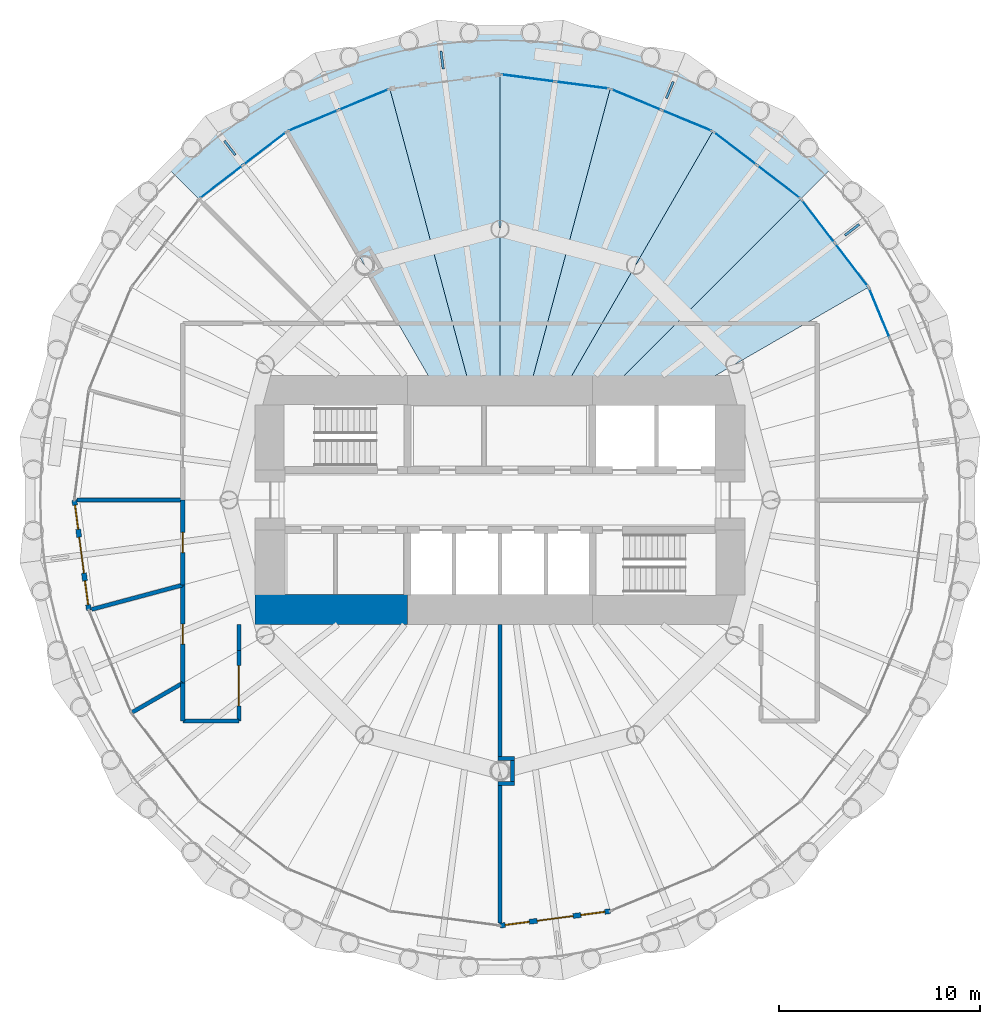
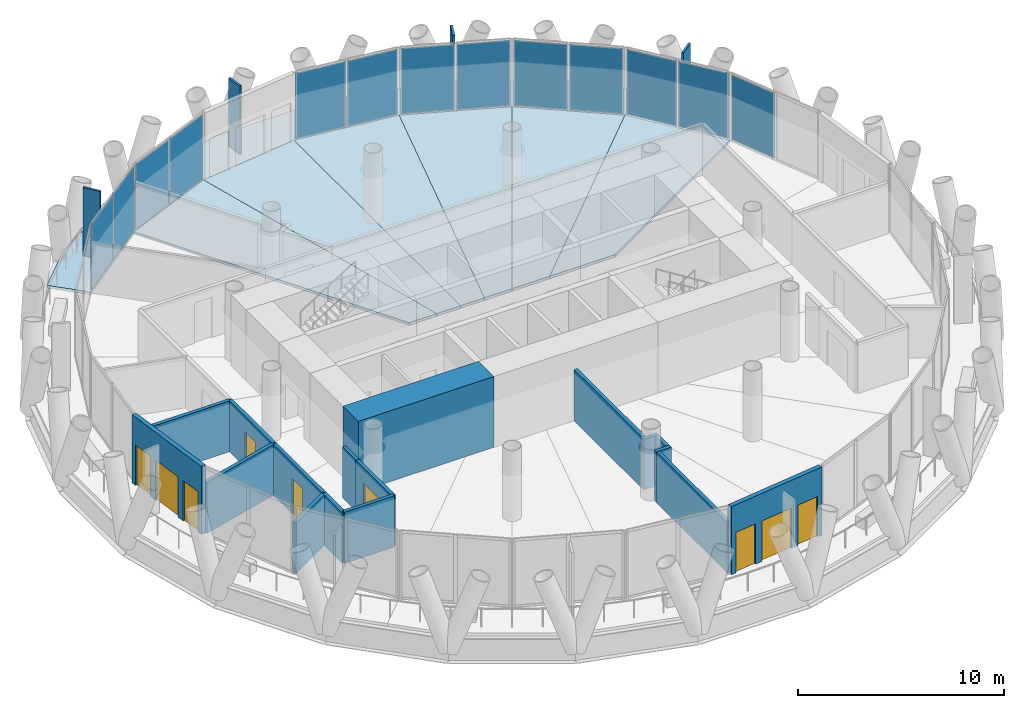
# One storey, part 9 of 14: 17 plates, 17 walls, 7 slabs, 5 doors, 4 windows, 9 openings, 7 elements without a shape of their own.
"""IFC4 building model written with IfcOpenShell, lengths in metres."""

from ifc_helpers import new_model, si_unit, direction, frame, frame_2d, origin, origin_2d, place, context, subcontext, project, spatial, polyline, rectangle, outline, extrude, material, layer, layer_set, type_object, element, fill, aggregate, save


model = new_model("IFC4")

# Units and contexts
model_context = context("Model", 3, precision=1e-05, world=origin(), true_north=direction((0.0, 1.0)))
body_context = subcontext(model_context, "Body", "Model", "MODEL_VIEW")
ifc_project = project(units=[si_unit("LENGTHUNIT", "METRE"), si_unit("AREAUNIT", "SQUARE_METRE"), si_unit("VOLUMEUNIT", "CUBIC_METRE"), si_unit("PLANEANGLEUNIT", "RADIAN"), si_unit("MASSUNIT", "GRAM", prefix="KILO")], contexts=[model_context])

# Site, building, storey
site_placement = place(None, origin())
site = spatial("IfcSite", under=ifc_project, at=site_placement, CompositionType="ELEMENT")
building_placement = place(site_placement, origin())
building = spatial("IfcBuilding", under=site, at=building_placement, Name="Qaws Media Tower", CompositionType="ELEMENT")
storey_placement = place(building_placement, frame((0.0, 0.0, 202.39990234375)))
storey = spatial("IfcBuildingStorey", under=building, at=storey_placement, Name="L46", CompositionType="ELEMENT", Elevation=202.39990234375)

# Slabs
ifc_material_1 = material(Name="Concrete C35/45", Category="concrete")
ifc_layer_1 = layer(ifc_material_1, 0.159912109375)
ifc_layer_set_1 = layer_set([ifc_layer_1], Name="Composite balcony slab 160")
slab_type_1 = type_object("IfcSlabType", Name="Composite balcony slab 160", PredefinedType="FLOOR", material=ifc_layer_set_1)
slab_1_placement = place(storey_placement, frame((0.0, 0.0, -0.159912109375)))
element("IfcSlab", 1, at=slab_1_placement, inside=storey, type_object=slab_type_1, Name="S2 balcony slab L46 R04 to R10, movement joints on R04 and R10", PredefinedType="FLOOR", context=body_context, shape_type="SweptSolid", body=[
    extrude(outline(polyline([(45.63330078125, 68.72314453125), (50.96875, 71.8037109375), (56.919677734375, 73.398193359375), (63.080322265625, 73.398193359375), (69.03125, 71.8037109375), (74.36669921875, 68.72314453125), (76.544921875, 66.544921875), (74.99072265625, 64.99072265625), (70.60009765625, 68.359619140625), (65.487060546875, 70.4775390625), (60.0, 71.199951171875), (54.512939453125, 70.4775390625), (49.39990234375, 68.359619140625), (45.00927734375, 64.99072265625), (43.455078125, 66.544921875), (45.63330078125, 68.72314453125)])), origin(), (0.0, 0.0, 1.0), 0.159912109375),
])
ifc_material_2 = material(Name="Concrete C35/45", Category="concrete")
ifc_layer_2 = layer(ifc_material_2, 0.159912109375)
ifc_layer_set_2 = layer_set([ifc_layer_2], Name="Composite floor slab 160")
slab_type_2 = type_object("IfcSlabType", Name="Composite floor slab 160", PredefinedType="FLOOR", material=ifc_layer_set_2)
slab_2_placement = place(storey_placement, frame((0.0, 0.0, -0.159912109375)))
element("IfcSlab", 2, at=slab_2_placement, inside=storey, type_object=slab_type_2, Name="S1 floor panel L46 on R03+7.5", PredefinedType="FLOOR", context=body_context, shape_type="SweptSolid", body=[
    extrude(outline(polyline([(78.359619140625, 60.60009765625), (68.660400390625, 55.0), (65.0, 55.0), (74.99072265625, 64.99072265625), (78.359619140625, 60.60009765625)])), origin(), (0.0, 0.0, 1.0), 0.159912109375),
])
slab_3_placement = place(storey_placement, frame((0.0, 0.0, -0.159912109375)))
element("IfcSlab", 3, at=slab_3_placement, inside=storey, type_object=slab_type_2, Name="S1 floor panel L46 on R04+7.5", PredefinedType="FLOOR", context=body_context, shape_type="SweptSolid", body=[
    extrude(outline(polyline([(74.99072265625, 64.99072265625), (65.0, 55.0), (62.88671875, 55.0), (70.60009765625, 68.359619140625), (74.99072265625, 64.99072265625)])), origin(), (0.0, 0.0, 1.0), 0.159912109375),
])
slab_4_placement = place(storey_placement, frame((0.0, 0.0, -0.159912109375)))
element("IfcSlab", 4, at=slab_4_placement, inside=storey, type_object=slab_type_2, Name="S1 floor panel L46 on R05+7.5", PredefinedType="FLOOR", context=body_context, shape_type="SweptSolid", body=[
    extrude(outline(polyline([(65.487060546875, 70.4775390625), (70.60009765625, 68.359619140625), (62.88671875, 55.0), (61.339599609375, 55.0), (65.487060546875, 70.4775390625)])), origin(), (0.0, 0.0, 1.0), 0.159912109375),
])
slab_5_placement = place(storey_placement, frame((0.0, 0.0, -0.159912109375)))
element("IfcSlab", 5, at=slab_5_placement, inside=storey, type_object=slab_type_2, Name="S1 floor panel L46 on R06+7.5", PredefinedType="FLOOR", context=body_context, shape_type="SweptSolid", body=[
    extrude(outline(polyline([(65.487060546875, 70.4775390625), (61.339599609375, 55.0), (60.0, 55.0), (60.0, 71.199951171875), (65.487060546875, 70.4775390625)])), origin(), (0.0, 0.0, 1.0), 0.159912109375),
])
slab_6_placement = place(storey_placement, frame((0.0, 0.0, -0.159912109375)))
element("IfcSlab", 6, at=slab_6_placement, inside=storey, type_object=slab_type_2, Name="S1 floor panel L46 on R07+7.5", PredefinedType="FLOOR", context=body_context, shape_type="SweptSolid", body=[
    extrude(outline(polyline([(60.0, 71.199951171875), (60.0, 55.0), (58.660400390625, 55.0), (54.512939453125, 70.4775390625), (60.0, 71.199951171875)])), origin(), (0.0, 0.0, 1.0), 0.159912109375),
])
slab_7_placement = place(storey_placement, frame((0.0, 0.0, -0.159912109375)))
element("IfcSlab", 7, at=slab_7_placement, inside=storey, type_object=slab_type_2, Name="S1 floor panel L46 on R08+7.5", PredefinedType="FLOOR", context=body_context, shape_type="SweptSolid", body=[
    extrude(outline(polyline([(49.39990234375, 68.359619140625), (54.512939453125, 70.4775390625), (58.660400390625, 55.0), (57.11328125, 55.0), (49.39990234375, 68.359619140625)])), origin(), (0.0, 0.0, 1.0), 0.159912109375),
])

# Curtain wall, plate
ifc_material_3 = material(Name="Aluminium and clear glass", Category="aluminium")
curtain_wall_type = type_object("IfcCurtainWallType", Name="Unitised curtain wall CW-C", PredefinedType="NOTDEFINED", material=ifc_material_3)
curtain_wall_1_placement = place(storey_placement, origin())
curtain_wall_1 = element("IfcCurtainWall", 8, at=curtain_wall_1_placement, inside=storey, type_object=curtain_wall_type, Name="CWC curtain wall L46-02", PredefinedType="NOTDEFINED")
ifc_material_4 = material(Name="Clear laminated double glazing", Category="glass")
ifc_layer_3 = layer(ifc_material_4, 0.031982421875)
ifc_layer_set_3 = layer_set([ifc_layer_3], Name="Curtain wall glass unit 32")
plate_type_1 = type_object("IfcPlateType", Name="Curtain wall glass unit 32", PredefinedType="CURTAIN_PANEL", material=ifc_layer_set_3)
plate_1_placement = place(storey_placement, frame((78.89697265625, 59.30322265625, 0.080078125), z_axis=(0.0, 0.0, 1.0), x_axis=(-0.382683454553, 0.923879523321, 0.0)))
plate_1 = element("IfcPlate", 9, at=plate_1_placement, type_object=plate_type_1, Name="CWC panel 2.1", PredefinedType="CURTAIN_PANEL", context=body_context, shape_type="SweptSolid", body=[
    extrude(rectangle(XDim=2.647216796875, YDim=0.031982421875, at=origin_2d()), origin(), (0.0, 0.0, 1.0), 3.8798828125),
])
aggregate(curtain_wall_1, [plate_1])

# Curtain wall, plates
curtain_wall_2_placement = place(storey_placement, origin())
curtain_wall_2 = element("IfcCurtainWall", 10, at=curtain_wall_2_placement, inside=storey, type_object=curtain_wall_type, Name="CWC curtain wall L46-03", PredefinedType="NOTDEFINED")
plate_2_placement = place(storey_placement, frame((77.50537109375, 61.713623046875, 0.080078125), z_axis=(0.0, 0.0, 1.0), x_axis=(-0.608761431016, 0.793353338751, 0.0)))
plate_2 = element("IfcPlate", 11, at=plate_2_placement, type_object=plate_type_1, Name="CWC panel 1.1", PredefinedType="CURTAIN_PANEL", context=body_context, shape_type="SweptSolid", body=[
    extrude(rectangle(XDim=2.647216796875, YDim=0.031982421875, at=origin_2d()), origin(), (0.0, 0.0, 1.0), 3.8798828125),
])
plate_3_placement = place(storey_placement, frame((75.84521484375, 63.877197265625, 0.080078125), z_axis=(0.0, 0.0, 1.0), x_axis=(-0.608761431016, 0.793353338751, 0.0)))
plate_3 = element("IfcPlate", 12, at=plate_3_placement, type_object=plate_type_1, Name="CWC panel 2.1", PredefinedType="CURTAIN_PANEL", context=body_context, shape_type="SweptSolid", body=[
    extrude(rectangle(XDim=2.647216796875, YDim=0.031982421875, at=origin_2d()), origin(), (0.0, 0.0, 1.0), 3.8798828125),
])
aggregate(curtain_wall_2, [plate_2, plate_3])

curtain_wall_3_placement = place(storey_placement, origin())
curtain_wall_3 = element("IfcCurtainWall", 13, at=curtain_wall_3_placement, inside=storey, type_object=curtain_wall_type, Name="CWC curtain wall L46-04", PredefinedType="NOTDEFINED")
plate_4_placement = place(storey_placement, frame((73.877197265625, 65.84521484375, 0.080078125), z_axis=(0.0, 0.0, 1.0), x_axis=(-0.793353338751, 0.608761431016, 0.0)))
plate_4 = element("IfcPlate", 14, at=plate_4_placement, type_object=plate_type_1, Name="CWC panel 1.1", PredefinedType="CURTAIN_PANEL", context=body_context, shape_type="SweptSolid", body=[
    extrude(rectangle(XDim=2.647216796875, YDim=0.031982421875, at=origin_2d()), origin(), (0.0, 0.0, 1.0), 3.8798828125),
])
plate_5_placement = place(storey_placement, frame((71.713623046875, 67.50537109375, 0.080078125), z_axis=(0.0, 0.0, 1.0), x_axis=(-0.793353338751, 0.608761431016, 0.0)))
plate_5 = element("IfcPlate", 15, at=plate_5_placement, type_object=plate_type_1, Name="CWC panel 2.1", PredefinedType="CURTAIN_PANEL", context=body_context, shape_type="SweptSolid", body=[
    extrude(rectangle(XDim=2.647216796875, YDim=0.031982421875, at=origin_2d()), origin(), (0.0, 0.0, 1.0), 3.8798828125),
])
aggregate(curtain_wall_3, [plate_4, plate_5])

curtain_wall_4_placement = place(storey_placement, origin())
curtain_wall_4 = element("IfcCurtainWall", 16, at=curtain_wall_4_placement, inside=storey, type_object=curtain_wall_type, Name="CWC curtain wall L46-05", PredefinedType="NOTDEFINED")
plate_6_placement = place(storey_placement, frame((69.30322265625, 68.89697265625, 0.080078125), z_axis=(0.0, 0.0, 1.0), x_axis=(-0.923879523321, 0.382683454553, 0.0)))
plate_6 = element("IfcPlate", 17, at=plate_6_placement, type_object=plate_type_1, Name="CWC panel 1.1", PredefinedType="CURTAIN_PANEL", context=body_context, shape_type="SweptSolid", body=[
    extrude(rectangle(XDim=2.647216796875, YDim=0.031982421875, at=origin_2d()), origin(), (0.0, 0.0, 1.0), 3.8798828125),
])
plate_7_placement = place(storey_placement, frame((66.78369140625, 69.9404296875, 0.080078125), z_axis=(0.0, 0.0, 1.0), x_axis=(-0.923879523321, 0.382683454553, 0.0)))
plate_7 = element("IfcPlate", 18, at=plate_7_placement, type_object=plate_type_1, Name="CWC panel 2.1", PredefinedType="CURTAIN_PANEL", context=body_context, shape_type="SweptSolid", body=[
    extrude(rectangle(XDim=2.647216796875, YDim=0.031982421875, at=origin_2d()), origin(), (0.0, 0.0, 1.0), 3.8798828125),
])
aggregate(curtain_wall_4, [plate_6, plate_7])

curtain_wall_5_placement = place(storey_placement, origin())
curtain_wall_5 = element("IfcCurtainWall", 19, at=curtain_wall_5_placement, inside=storey, type_object=curtain_wall_type, Name="CWC curtain wall L46-06", PredefinedType="NOTDEFINED")
plate_8_placement = place(storey_placement, frame((64.095458984375, 70.660888671875, 0.080078125), z_axis=(0.0, 0.0, 1.0), x_axis=(-0.991444873411, 0.130526100786, 0.0)))
plate_8 = element("IfcPlate", 20, at=plate_8_placement, type_object=plate_type_1, Name="CWC panel 1.1", PredefinedType="CURTAIN_PANEL", context=body_context, shape_type="SweptSolid", body=[
    extrude(rectangle(XDim=2.647216796875, YDim=0.031982421875, at=origin_2d()), origin(), (0.0, 0.0, 1.0), 3.8798828125),
])
plate_9_placement = place(storey_placement, frame((61.3916015625, 71.016845703125, 0.080078125), z_axis=(0.0, 0.0, 1.0), x_axis=(-0.991444873411, 0.130526100786, 0.0)))
plate_9 = element("IfcPlate", 21, at=plate_9_placement, type_object=plate_type_1, Name="CWC panel 2.1", PredefinedType="CURTAIN_PANEL", context=body_context, shape_type="SweptSolid", body=[
    extrude(rectangle(XDim=2.647216796875, YDim=0.031982421875, at=origin_2d()), origin(), (0.0, 0.0, 1.0), 3.8798828125),
])
aggregate(curtain_wall_5, [plate_8, plate_9])

curtain_wall_6_placement = place(storey_placement, origin())
curtain_wall_6 = element("IfcCurtainWall", 22, at=curtain_wall_6_placement, inside=storey, type_object=curtain_wall_type, Name="CWC curtain wall L46-08", PredefinedType="NOTDEFINED")
plate_10_placement = place(storey_placement, frame((53.21630859375, 69.9404296875, 0.080078125), z_axis=(0.0, 0.0, 1.0), x_axis=(-0.923879523321, -0.382683454553, 0.0)))
plate_10 = element("IfcPlate", 23, at=plate_10_placement, type_object=plate_type_1, Name="CWC panel 1.1", PredefinedType="CURTAIN_PANEL", context=body_context, shape_type="SweptSolid", body=[
    extrude(rectangle(XDim=2.647216796875, YDim=0.031982421875, at=origin_2d()), origin(), (0.0, 0.0, 1.0), 3.8798828125),
])
plate_11_placement = place(storey_placement, frame((50.69677734375, 68.89697265625, 0.080078125), z_axis=(0.0, 0.0, 1.0), x_axis=(-0.923879523321, -0.382683454553, 0.0)))
plate_11 = element("IfcPlate", 24, at=plate_11_placement, type_object=plate_type_1, Name="CWC panel 2.1", PredefinedType="CURTAIN_PANEL", context=body_context, shape_type="SweptSolid", body=[
    extrude(rectangle(XDim=2.647216796875, YDim=0.031982421875, at=origin_2d()), origin(), (0.0, 0.0, 1.0), 3.8798828125),
])
aggregate(curtain_wall_6, [plate_10, plate_11])

curtain_wall_7_placement = place(storey_placement, origin())
curtain_wall_7 = element("IfcCurtainWall", 25, at=curtain_wall_7_placement, inside=storey, type_object=curtain_wall_type, Name="CWC curtain wall L46-09", PredefinedType="NOTDEFINED")
plate_12_placement = place(storey_placement, frame((48.286376953125, 67.50537109375, 0.080078125), z_axis=(0.0, 0.0, 1.0), x_axis=(-0.793353338751, -0.608761431016, 0.0)))
plate_12 = element("IfcPlate", 26, at=plate_12_placement, type_object=plate_type_1, Name="CWC panel 1.1", PredefinedType="CURTAIN_PANEL", context=body_context, shape_type="SweptSolid", body=[
    extrude(rectangle(XDim=2.647216796875, YDim=0.031982421875, at=origin_2d()), origin(), (0.0, 0.0, 1.0), 3.8798828125),
])
plate_13_placement = place(storey_placement, frame((46.122802734375, 65.84521484375, 0.080078125), z_axis=(0.0, 0.0, 1.0), x_axis=(-0.793353338751, -0.608761431016, 0.0)))
plate_13 = element("IfcPlate", 27, at=plate_13_placement, type_object=plate_type_1, Name="CWC panel 2.1", PredefinedType="CURTAIN_PANEL", context=body_context, shape_type="SweptSolid", body=[
    extrude(rectangle(XDim=2.647216796875, YDim=0.031982421875, at=origin_2d()), origin(), (0.0, 0.0, 1.0), 3.8798828125),
])
aggregate(curtain_wall_7, [plate_12, plate_13])

# Plates
ifc_material_5 = material(Name="Precast concrete screen fin", Category="concrete")
ifc_layer_4 = layer(ifc_material_5, 0.1201171875)
ifc_layer_set_4 = layer_set([ifc_layer_4], Name="Screen fin 120x900")
plate_type_2 = type_object("IfcPlateType", Name="Screen fin 120x900", PredefinedType="USERDEFINED", material=ifc_layer_set_4)
for number, where, z_axis, x_axis, name in (
    (28, (77.533203125, 63.45361328125, 0.0), (0.0, 0.0, 1.0), (0.793353340291, 0.608761429009, 0.0), "SCR1 screen fin L46-02"),
    (29, (68.457275390625, 70.417724609375, 0.0), (0.0, 0.0, 1.0), (0.382683432365, 0.923879532511, 0.0), "SCR1 screen fin L46-03"),
    (30, (57.115478515625, 71.910888671875, 0.0), (0.0, 0.0, 1.0), (-0.13052619222, 0.991444861374, 0.0), "SCR1 screen fin L46-04"),
    (31, (46.54638671875, 67.533203125, 0.0), (0.0, 0.0, 1.0), (-0.608761429009, 0.793353340291, 0.0), "SCR1 screen fin L46-05"),
):
    element("IfcPlate", number, at=place(storey_placement, frame(where, z_axis=z_axis, x_axis=x_axis)), inside=storey, type_object=plate_type_2, Name=name, ObjectType="SCREEN", PredefinedType="USERDEFINED", context=body_context, shape_type="SweptSolid", body=[
        extrude(rectangle(XDim=0.89990234375, YDim=0.1201171875, at=origin_2d()), origin(), (0.0, 0.0, 1.0), 4.0400390625),
    ])

# Wall, openings, door, windows
ifc_material_6 = material(Name="Precast concrete, exposed finish", Category="concrete")
ifc_layer_5 = layer(ifc_material_6, 0.25)
ifc_layer_set_5 = layer_set([ifc_layer_5], Name="Balcony door wall 250")
wall_type_1 = type_object("IfcWallType", Name="Balcony door wall 250", PredefinedType="SOLIDWALL", material=ifc_layer_set_5)
wall_1_placement = place(storey_placement, frame((38.800048828125, 50.0, 0.0), z_axis=(0.0, 0.0, 1.0), x_axis=(0.130530967061, -0.991444232742, 0.0)))
wall_1 = element("IfcWall", 32, at=wall_1_placement, inside=storey, type_object=wall_type_1, Name="W113 EW1 balcony door wall L46-13", PredefinedType="SOLIDWALL", context=body_context, shape_type="SweptSolid", body=[
    extrude(rectangle(XDim=5.534423828125, YDim=0.25, at=frame_2d((2.76708984375, 0.0))), origin(), (0.0, 0.0, 1.0), 4.0400390625),
])
opening_1_placement = place(wall_1_placement, frame((1.8671875, 0.0, 0.0)))
opening_1 = element("IfcOpeningElement", 33, at=opening_1_placement, cuts=wall_1, Name="Opening D7", PredefinedType="OPENING", context=body_context, shape_type="SweptSolid", body=[
    extrude(rectangle(XDim=1.800048828125, YDim=2.39990234375, at=frame_2d((0.89990234375, 1.199951171875))), frame((0.0, 0.135009765625, 0.0), z_axis=(0.0, -1.0, 0.0), x_axis=(1.0, 0.0, 0.0)), (0.0, 0.0, 1.0), 0.27001953125),
])
opening_2_placement = place(wall_1_placement, frame((0.26708984375, 0.0, 0.0)))
opening_2 = element("IfcOpeningElement", 34, at=opening_2_placement, cuts=wall_1, Name="Opening W1", PredefinedType="OPENING", context=body_context, shape_type="SweptSolid", body=[
    extrude(rectangle(XDim=1.199951171875, YDim=2.39990234375, at=frame_2d((0.60009765625, 1.199951171875))), frame((0.0, 0.135009765625, 0.0), z_axis=(0.0, -1.0, 0.0), x_axis=(1.0, 0.0, 0.0)), (0.0, 0.0, 1.0), 0.27001953125),
])
opening_3_placement = place(wall_1_placement, frame((4.067138671875, 0.0, 0.0)))
opening_3 = element("IfcOpeningElement", 35, at=opening_3_placement, cuts=wall_1, Name="Opening W1", PredefinedType="OPENING", context=body_context, shape_type="SweptSolid", body=[
    extrude(rectangle(XDim=1.199951171875, YDim=2.39990234375, at=frame_2d((0.60009765625, 1.199951171875))), frame((0.0, 0.135009765625, 0.0), z_axis=(0.0, -1.0, 0.0), x_axis=(1.0, 0.0, 0.0)), (0.0, 0.0, 1.0), 0.27001953125),
])
ifc_material_7 = material(Name="Aluminium and clear glass", Category="aluminium")
door_type_1 = type_object("IfcDoorType", Name="Balcony door pair 1800", OperationType="DOUBLE_DOOR_SLIDING", PredefinedType="DOOR", material=ifc_material_7)
door_1_placement = place(opening_1_placement, origin())
door_1 = element("IfcDoor", 36, at=door_1_placement, inside=storey, type_object=door_type_1, Name="D7 balcony door L46-13 in wall W113", OperationType="DOUBLE_DOOR_SLIDING", OverallHeight=2.39990234375, OverallWidth=1.800048828125, PredefinedType="DOOR", context=body_context, shape_type="SweptSolid", body=[
    extrude(rectangle(XDim=1.800048828125, YDim=2.39990234375, at=frame_2d((0.89990234375, 1.199951171875))), frame((0.0, 0.02490234375, 0.0), z_axis=(0.0, -1.0, 0.0), x_axis=(1.0, 0.0, 0.0)), (0.0, 0.0, 1.0), 0.050048828125),
])
fill(opening_1, door_1)
ifc_material_8 = material(Name="Aluminium and clear glass", Category="aluminium")
window_type = type_object("IfcWindowType", Name="Balcony side window 1200", PartitioningType="SINGLE_PANEL", PredefinedType="WINDOW", material=ifc_material_8)
window_1_placement = place(opening_2_placement, origin())
window_1 = element("IfcWindow", 37, at=window_1_placement, inside=storey, type_object=window_type, Name="W1 balcony side light L46-13L", OverallHeight=2.39990234375, OverallWidth=1.199951171875, PartitioningType="SINGLE_PANEL", PredefinedType="WINDOW", context=body_context, shape_type="SweptSolid", body=[
    extrude(rectangle(XDim=1.199951171875, YDim=2.39990234375, at=frame_2d((0.60009765625, 1.199951171875))), frame((0.0, 0.030029296875, 0.0), z_axis=(0.0, -1.0, 0.0), x_axis=(1.0, 0.0, 0.0)), (0.0, 0.0, 1.0), 0.06005859375),
])
fill(opening_2, window_1)
window_2_placement = place(opening_3_placement, origin())
window_2 = element("IfcWindow", 38, at=window_2_placement, inside=storey, type_object=window_type, Name="W1 balcony side light L46-13R", OverallHeight=2.39990234375, OverallWidth=1.199951171875, PartitioningType="SINGLE_PANEL", PredefinedType="WINDOW", context=body_context, shape_type="SweptSolid", body=[
    extrude(rectangle(XDim=1.199951171875, YDim=2.39990234375, at=frame_2d((0.60009765625, 1.199951171875))), frame((0.0, 0.030029296875, 0.0), z_axis=(0.0, -1.0, 0.0), x_axis=(1.0, 0.0, 0.0)), (0.0, 0.0, 1.0), 0.06005859375),
])
fill(opening_3, window_2)

wall_2_placement = place(storey_placement, frame((60.0, 28.800048828125, 0.0), z_axis=(0.0, 0.0, 1.0), x_axis=(0.991444232742, 0.130530967061, 0.0)))
wall_2 = element("IfcWall", 39, at=wall_2_placement, inside=storey, type_object=wall_type_1, Name="W114 EW1 balcony door wall L46-19", PredefinedType="SOLIDWALL", context=body_context, shape_type="SweptSolid", body=[
    extrude(rectangle(XDim=5.534423828125, YDim=0.25, at=frame_2d((2.76708984375, 0.0))), origin(), (0.0, 0.0, 1.0), 4.0400390625),
])
opening_4_placement = place(wall_2_placement, frame((1.8671875, 0.0, 0.0)))
opening_4 = element("IfcOpeningElement", 40, at=opening_4_placement, cuts=wall_2, Name="Opening D7", PredefinedType="OPENING", context=body_context, shape_type="SweptSolid", body=[
    extrude(rectangle(XDim=1.800048828125, YDim=2.39990234375, at=frame_2d((0.89990234375, 1.199951171875))), frame((0.0, 0.135009765625, 0.0), z_axis=(0.0, -1.0, 0.0), x_axis=(1.0, 0.0, 0.0)), (0.0, 0.0, 1.0), 0.27001953125),
])
opening_5_placement = place(wall_2_placement, frame((0.26708984375, 0.0, 0.0)))
opening_5 = element("IfcOpeningElement", 41, at=opening_5_placement, cuts=wall_2, Name="Opening W1", PredefinedType="OPENING", context=body_context, shape_type="SweptSolid", body=[
    extrude(rectangle(XDim=1.199951171875, YDim=2.39990234375, at=frame_2d((0.60009765625, 1.199951171875))), frame((0.0, 0.135009765625, 0.0), z_axis=(0.0, -1.0, 0.0), x_axis=(1.0, 0.0, 0.0)), (0.0, 0.0, 1.0), 0.27001953125),
])
opening_6_placement = place(wall_2_placement, frame((4.067138671875, 0.0, 0.0)))
opening_6 = element("IfcOpeningElement", 42, at=opening_6_placement, cuts=wall_2, Name="Opening W1", PredefinedType="OPENING", context=body_context, shape_type="SweptSolid", body=[
    extrude(rectangle(XDim=1.199951171875, YDim=2.39990234375, at=frame_2d((0.60009765625, 1.199951171875))), frame((0.0, 0.135009765625, 0.0), z_axis=(0.0, -1.0, 0.0), x_axis=(1.0, 0.0, 0.0)), (0.0, 0.0, 1.0), 0.27001953125),
])
door_2_placement = place(opening_4_placement, origin())
door_2 = element("IfcDoor", 43, at=door_2_placement, inside=storey, type_object=door_type_1, Name="D7 balcony door L46-19 in wall W114", OperationType="DOUBLE_DOOR_SLIDING", OverallHeight=2.39990234375, OverallWidth=1.800048828125, PredefinedType="DOOR", context=body_context, shape_type="SweptSolid", body=[
    extrude(rectangle(XDim=1.800048828125, YDim=2.39990234375, at=frame_2d((0.89990234375, 1.199951171875))), frame((0.0, 0.02490234375, 0.0), z_axis=(0.0, -1.0, 0.0), x_axis=(1.0, 0.0, 0.0)), (0.0, 0.0, 1.0), 0.050048828125),
])
fill(opening_4, door_2)
window_3_placement = place(opening_5_placement, origin())
window_3 = element("IfcWindow", 44, at=window_3_placement, inside=storey, type_object=window_type, Name="W1 balcony side light L46-19L", OverallHeight=2.39990234375, OverallWidth=1.199951171875, PartitioningType="SINGLE_PANEL", PredefinedType="WINDOW", context=body_context, shape_type="SweptSolid", body=[
    extrude(rectangle(XDim=1.199951171875, YDim=2.39990234375, at=frame_2d((0.60009765625, 1.199951171875))), frame((0.0, 0.030029296875, 0.0), z_axis=(0.0, -1.0, 0.0), x_axis=(1.0, 0.0, 0.0)), (0.0, 0.0, 1.0), 0.06005859375),
])
fill(opening_5, window_3)
window_4_placement = place(opening_6_placement, origin())
window_4 = element("IfcWindow", 45, at=window_4_placement, inside=storey, type_object=window_type, Name="W1 balcony side light L46-19R", OverallHeight=2.39990234375, OverallWidth=1.199951171875, PartitioningType="SINGLE_PANEL", PredefinedType="WINDOW", context=body_context, shape_type="SweptSolid", body=[
    extrude(rectangle(XDim=1.199951171875, YDim=2.39990234375, at=frame_2d((0.60009765625, 1.199951171875))), frame((0.0, 0.030029296875, 0.0), z_axis=(0.0, -1.0, 0.0), x_axis=(1.0, 0.0, 0.0)), (0.0, 0.0, 1.0), 0.06005859375),
])
fill(opening_6, window_4)

# Walls
ifc_material_9 = material(Name="Concrete C60/75", Category="concrete")
ifc_layer_6 = layer(ifc_material_9, 1.5)
ifc_layer_set_6 = layer_set([ifc_layer_6], Name="Core wall 1500")
wall_type_2 = type_object("IfcWallType", Name="Core wall 1500", PredefinedType="SHEAR", material=ifc_layer_set_6)
wall_3_placement = place(storey_placement, frame((47.800048828125, 44.550048828125, 0.0), z_axis=(0.0, 0.0, 1.0), x_axis=(1.0, 0.0, 0.0)))
element("IfcWall", 46, at=wall_3_placement, inside=storey, type_object=wall_type_2, Name="W376 SW13 core wall SW L46", PredefinedType="SHEAR", context=body_context, shape_type="SweptSolid", body=[
    extrude(rectangle(XDim=7.599853515625, YDim=1.5, at=frame_2d((3.7998046875, 0.0))), origin(), (0.0, 0.0, 1.0), 4.2001953125),
])
ifc_material_10 = material(Name="Gypsum board on galvanised metal studs, acoustic double stud, deflection head", Category="gypsum")
ifc_layer_7 = layer(ifc_material_10, 0.199951171875)
ifc_layer_set_7 = layer_set([ifc_layer_7], Name="Room partition 200")
wall_type_3 = type_object("IfcWallType", Name="Room partition 200", PredefinedType="PARTITIONING", material=ifc_layer_set_7)
wall_4_placement = place(storey_placement, frame((47.0, 43.800048828125, 0.0), z_axis=(0.0, 0.0, 1.0), x_axis=(0.0, -1.0, 0.0)))
element("IfcWall", 47, at=wall_4_placement, inside=storey, type_object=wall_type_3, Name="W1528 IW3 partition L46", PredefinedType="PARTITIONING", context=body_context, shape_type="SweptSolid", body=[
    extrude(rectangle(XDim=1.3056640625, YDim=0.199951171875, at=frame_2d((0.65283203125, 0.0))), origin(), (0.0, 0.0, 1.0), 3.01220703125),
])

# Wall, opening, door
wall_5_placement = place(storey_placement, frame((47.0, 42.494384765625, 0.0), z_axis=(0.0, 0.0, 1.0), x_axis=(0.0, -1.0, 0.0)))
wall_5 = element("IfcWall", 48, at=wall_5_placement, inside=storey, type_object=wall_type_3, Name="W1366 IW3 partition L46", PredefinedType="PARTITIONING", context=body_context, shape_type="SweptSolid", body=[
    extrude(rectangle(XDim=3.494384765625, YDim=0.199951171875, at=frame_2d((1.7470703125, 0.0))), origin(), (0.0, 0.0, 1.0), 3.01220703125),
])
opening_7_placement = place(wall_5_placement, frame((0.747314453125, 0.0, 0.0)))
opening_7 = element("IfcOpeningElement", 49, at=opening_7_placement, cuts=wall_5, Name="Opening D6", PredefinedType="OPENING", context=body_context, shape_type="SweptSolid", body=[
    extrude(rectangle(XDim=2.0, YDim=2.10009765625, at=frame_2d((1.0, 1.050048828125))), frame((0.0, 0.10986328125, 0.0), z_axis=(0.0, -1.0, 0.0), x_axis=(1.0, 0.0, 0.0)), (0.0, 0.0, 1.0), 0.219970703125),
])
ifc_material_11 = material(Name="Steel, acoustic, fire rated", Category="steel")
door_type_2 = type_object("IfcDoorType", Name="Room door pair 2000", OperationType="DOUBLE_DOOR_DOUBLE_SWING", PredefinedType="DOOR", material=ifc_material_11)
door_3_placement = place(opening_7_placement, origin())
door_3 = element("IfcDoor", 50, at=door_3_placement, inside=storey, type_object=door_type_2, Name="D6 Tenant studio office door L46 in wall W1366", OperationType="DOUBLE_DOOR_DOUBLE_SWING", OverallHeight=2.10009765625, OverallWidth=2.0, PredefinedType="DOOR", context=body_context, shape_type="SweptSolid", body=[
    extrude(rectangle(XDim=2.0, YDim=2.10009765625, at=frame_2d((1.0, 1.050048828125))), frame((0.0, 0.02490234375, 0.0), z_axis=(0.0, -1.0, 0.0), x_axis=(1.0, 0.0, 0.0)), (0.0, 0.0, 1.0), 0.050048828125),
])
fill(opening_7, door_3)

# Walls
wall_6_placement = place(storey_placement, frame((47.0, 39.0, 0.0), z_axis=(0.0, 0.0, 1.0), x_axis=(-1.0, 0.0, 0.0)))
element("IfcWall", 51, at=wall_6_placement, inside=storey, type_object=wall_type_3, Name="W1222 IW3 partition L46", PredefinedType="PARTITIONING", context=body_context, shape_type="SweptSolid", body=[
    extrude(rectangle(XDim=2.800048828125, YDim=0.199951171875, at=frame_2d((1.39990234375, 0.0))), origin(), (0.0, 0.0, 1.0), 3.0400390625),
])
wall_7_placement = place(storey_placement, frame((44.199951171875, 39.0, 0.0), z_axis=(0.0, 0.0, 1.0), x_axis=(0.0, 1.0, 0.0)))
element("IfcWall", 52, at=wall_7_placement, inside=storey, type_object=wall_type_3, Name="W1360 IW3 partition L46", PredefinedType="PARTITIONING", context=body_context, shape_type="SweptSolid", body=[
    extrude(rectangle(XDim=1.8779296875, YDim=0.199951171875, at=frame_2d((0.93896484375, 0.0))), origin(), (0.0, 0.0, 1.0), 3.01220703125),
])

# Wall, opening, door
wall_8_placement = place(storey_placement, frame((44.199951171875, 40.8779296875, 0.0), z_axis=(0.0, 0.0, 1.0), x_axis=(0.0, 1.0, 0.0)))
wall_8 = element("IfcWall", 53, at=wall_8_placement, inside=storey, type_object=wall_type_3, Name="W1361 IW3 partition L46", PredefinedType="PARTITIONING", context=body_context, shape_type="SweptSolid", body=[
    extrude(rectangle(XDim=4.888427734375, YDim=0.199951171875, at=frame_2d((2.4443359375, 0.0))), origin(), (0.0, 0.0, 1.0), 3.01220703125),
])
opening_8_placement = place(wall_8_placement, frame((1.9443359375, 0.0, 0.0)))
opening_8 = element("IfcOpeningElement", 54, at=opening_8_placement, cuts=wall_8, Name="Opening D5", PredefinedType="OPENING", context=body_context, shape_type="SweptSolid", body=[
    extrude(rectangle(XDim=1.0, YDim=2.10009765625, at=frame_2d((0.5, 1.050048828125))), frame((0.0, 0.10986328125, 0.0), z_axis=(0.0, -1.0, 0.0), x_axis=(1.0, 0.0, 0.0)), (0.0, 0.0, 1.0), 0.219970703125),
])
ifc_material_12 = material(Name="Timber veneered, acoustic seal", Category="wood")
door_type_3 = type_object("IfcDoorType", Name="Room door 1000", OperationType="SINGLE_SWING_LEFT", PredefinedType="DOOR", material=ifc_material_12)
door_4_placement = place(opening_8_placement, origin())
door_4 = element("IfcDoor", 55, at=door_4_placement, inside=storey, type_object=door_type_3, Name="D5 Edit room door L46 in wall W1361", OperationType="SINGLE_SWING_LEFT", OverallHeight=2.10009765625, OverallWidth=1.0, PredefinedType="DOOR", context=body_context, shape_type="SweptSolid", body=[
    extrude(rectangle(XDim=1.0, YDim=2.10009765625, at=frame_2d((0.5, 1.050048828125))), frame((0.0, 0.02490234375, 0.0), z_axis=(0.0, -1.0, 0.0), x_axis=(1.0, 0.0, 0.0)), (0.0, 0.0, 1.0), 0.050048828125),
])
fill(opening_8, door_4)

wall_9_placement = place(storey_placement, frame((44.199951171875, 45.766357421875, 0.0), z_axis=(0.0, 0.0, 1.0), x_axis=(0.0, 1.0, 0.0)))
wall_9 = element("IfcWall", 56, at=wall_9_placement, inside=storey, type_object=wall_type_3, Name="W1362 IW3 partition L46", PredefinedType="PARTITIONING", context=body_context, shape_type="SweptSolid", body=[
    extrude(rectangle(XDim=4.233642578125, YDim=0.199951171875, at=frame_2d((2.11669921875, 0.0))), origin(), (0.0, 0.0, 1.0), 3.01220703125),
])
opening_9_placement = place(wall_9_placement, frame((1.61669921875, 0.0, 0.0)))
opening_9 = element("IfcOpeningElement", 57, at=opening_9_placement, cuts=wall_9, Name="Opening D5", PredefinedType="OPENING", context=body_context, shape_type="SweptSolid", body=[
    extrude(rectangle(XDim=1.0, YDim=2.10009765625, at=frame_2d((0.5, 1.050048828125))), frame((0.0, 0.10986328125, 0.0), z_axis=(0.0, -1.0, 0.0), x_axis=(1.0, 0.0, 0.0)), (0.0, 0.0, 1.0), 0.219970703125),
])
door_5_placement = place(opening_9_placement, origin())
door_5 = element("IfcDoor", 58, at=door_5_placement, inside=storey, type_object=door_type_3, Name="D5 Edit room door L46 in wall W1362", OperationType="SINGLE_SWING_LEFT", OverallHeight=2.10009765625, OverallWidth=1.0, PredefinedType="DOOR", context=body_context, shape_type="SweptSolid", body=[
    extrude(rectangle(XDim=1.0, YDim=2.10009765625, at=frame_2d((0.5, 1.050048828125))), frame((0.0, 0.02490234375, 0.0), z_axis=(0.0, -1.0, 0.0), x_axis=(1.0, 0.0, 0.0)), (0.0, 0.0, 1.0), 0.050048828125),
])
fill(opening_9, door_5)

# Walls
wall_10_placement = place(storey_placement, frame((44.199951171875, 50.0, 0.0), z_axis=(0.0, 0.0, 1.0), x_axis=(-1.0, 0.0, 0.0)))
element("IfcWall", 59, at=wall_10_placement, inside=storey, type_object=wall_type_3, Name="W1524 IW3 partition L46", PredefinedType="PARTITIONING", context=body_context, shape_type="SweptSolid", body=[
    extrude(rectangle(XDim=5.260009765625, YDim=0.199951171875, at=frame_2d((2.6298828125, 0.0))), origin(), (0.0, 0.0, 1.0), 3.01220703125),
])
wall_11_placement = place(storey_placement, frame((44.197509765625, 45.765625, 0.0), z_axis=(0.0, 0.0, 1.0), x_axis=(-0.96593251702, -0.258794073665, 0.0)))
element("IfcWall", 60, at=wall_11_placement, inside=storey, type_object=wall_type_3, Name="W1523 IW3 partition L46", PredefinedType="PARTITIONING", context=body_context, shape_type="SweptSolid", body=[
    extrude(rectangle(XDim=4.699951171875, YDim=0.199951171875, at=frame_2d((2.35009765625, 0.0))), origin(), (0.0, 0.0, 1.0), 3.01220703125),
])
wall_12_placement = place(storey_placement, frame((44.20361328125, 40.8798828125, 0.0), z_axis=(0.0, 0.0, 1.0), x_axis=(-0.866032430508, -0.49998782916, 0.0)))
element("IfcWall", 61, at=wall_12_placement, inside=storey, type_object=wall_type_3, Name="W1527 IW3 partition L46", PredefinedType="PARTITIONING", context=body_context, shape_type="SweptSolid", body=[
    extrude(rectangle(XDim=2.919921875, YDim=0.199951171875, at=frame_2d((1.4599609375, 0.0))), origin(), (0.0, 0.0, 1.0), 3.01220703125),
])
for number, where, z_axis, x_axis, name in (
    (62, (59.89990234375, 37.116943359375, 0.0), (0.0, 0.0, 1.0), (1.0, 0.0, 0.0), "W1538 IW3 partition return L46"),
    (63, (59.89990234375, 35.883056640625, 0.0), (0.0, 0.0, 1.0), (1.0, 0.0, 0.0), "W1537 IW3 partition return L46"),
):
    element("IfcWall", number, at=place(storey_placement, frame(where, z_axis=z_axis, x_axis=x_axis)), inside=storey, type_object=wall_type_3, Name=name, PredefinedType="PARTITIONING", context=body_context, shape_type="SweptSolid", body=[
        extrude(rectangle(XDim=0.8271484375, YDim=0.199951171875, at=frame_2d((0.41357421875, 0.0))), origin(), (0.0, 0.0, 1.0), 3.01220703125),
    ])
wall_13_placement = place(storey_placement, frame((60.626953125, 37.01708984375, 0.0), z_axis=(0.0, 0.0, 1.0), x_axis=(0.0, -1.0, 0.0)))
element("IfcWall", 64, at=wall_13_placement, inside=storey, type_object=wall_type_3, Name="W1541 IW3 partition return L46", PredefinedType="PARTITIONING", context=body_context, shape_type="SweptSolid", body=[
    extrude(rectangle(XDim=1.0341796875, YDim=0.199951171875, at=frame_2d((0.51708984375, 0.0))), origin(), (0.0, 0.0, 1.0), 3.01220703125),
])
wall_14_placement = place(storey_placement, frame((60.0, 43.800048828125, 0.0), z_axis=(0.0, 0.0, 1.0), x_axis=(0.0, -1.0, 0.0)))
element("IfcWall", 65, at=wall_14_placement, inside=storey, type_object=wall_type_3, Name="W1540 IW3 partition L46", PredefinedType="PARTITIONING", context=body_context, shape_type="SweptSolid", body=[
    extrude(rectangle(XDim=6.5830078125, YDim=0.199951171875, at=frame_2d((3.29150390625, 0.0))), origin(), (0.0, 0.0, 1.0), 3.0400390625),
])
wall_15_placement = place(storey_placement, frame((60.0, 35.782958984375, 0.0), z_axis=(0.0, 0.0, 1.0), x_axis=(0.0, -1.0, 0.0)))
element("IfcWall", 66, at=wall_15_placement, inside=storey, type_object=wall_type_3, Name="W1539 IW3 partition L46", PredefinedType="PARTITIONING", context=body_context, shape_type="SweptSolid", body=[
    extrude(rectangle(XDim=6.843017578125, YDim=0.199951171875, at=frame_2d((3.42138671875, 0.0))), origin(), (0.0, 0.0, 1.0), 3.01220703125),
])

save(model, "model.ifc")
